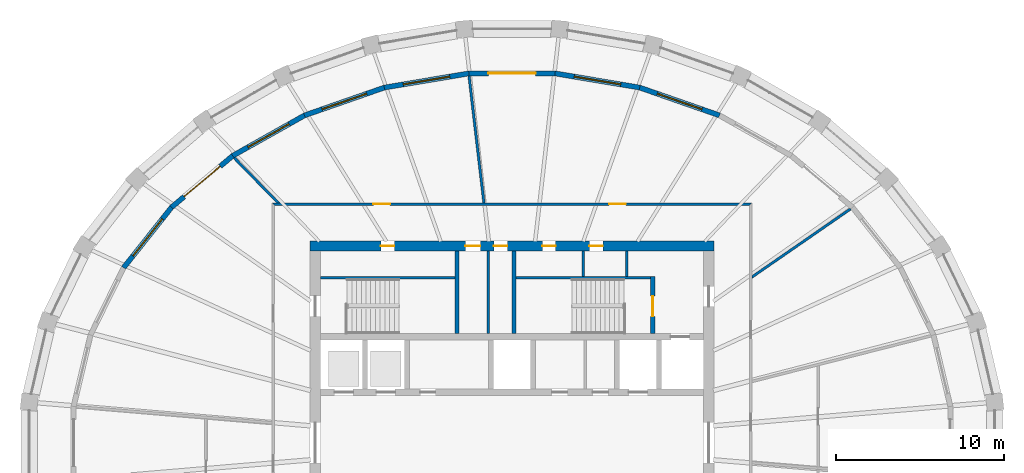
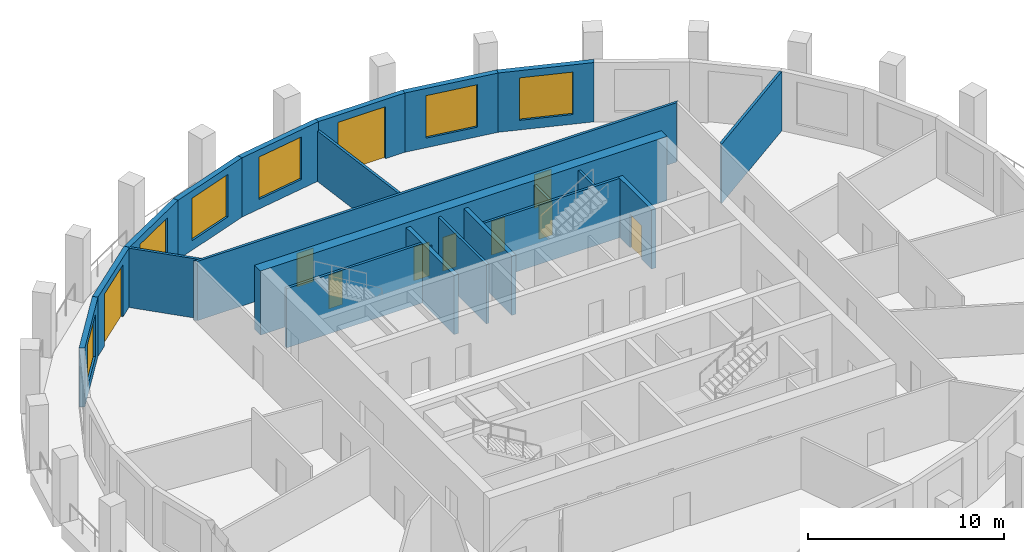
# One storey, part 6 of 10: 21 walls, 10 doors, 6 windows, 16 openings.
"""IFC4 building model written with IfcOpenShell, lengths in metres."""

from ifc_helpers import new_model, si_unit, direction, frame, frame_2d, origin, place, context, subcontext, project, spatial, polyline, rectangle, outline, extrude, material, layer, layer_set, type_object, element, fill, save


model = new_model("IFC4")

# Units and contexts
model_context = context("Model", 3, precision=1e-05, world=origin(), true_north=direction((0.0, 1.0)))
body_context = subcontext(model_context, "Body", "Model", "MODEL_VIEW")
ifc_project = project(units=[si_unit("LENGTHUNIT", "METRE"), si_unit("AREAUNIT", "SQUARE_METRE"), si_unit("VOLUMEUNIT", "CUBIC_METRE"), si_unit("PLANEANGLEUNIT", "RADIAN"), si_unit("MASSUNIT", "GRAM", prefix="KILO")], contexts=[model_context])

# Site, building, storey
site_placement = place(None, origin())
site = spatial("IfcSite", under=ifc_project, at=site_placement, CompositionType="ELEMENT")
building_placement = place(site_placement, origin())
building = spatial("IfcBuilding", under=site, at=building_placement, Name="Halqa Exchange Tower", CompositionType="ELEMENT")
storey_placement = place(building_placement, frame((0.0, 0.0, 308.300048828125)))
storey = spatial("IfcBuildingStorey", under=building, at=storey_placement, Name="L72", CompositionType="ELEMENT", Elevation=308.300048828125)

# Wall
ifc_material_1 = material(Name="Fire-rated gypsum board")
ifc_layer_1 = layer(ifc_material_1, 0.14990234375)
ifc_layer_set_1 = layer_set([ifc_layer_1], Name="Fire-rated gypsum board")
wall_type_1 = type_object("IfcWallType", Name="Fire partition EI 60 150", PredefinedType="PARTITIONING", material=ifc_layer_set_1)
wall_1_placement = place(storey_placement, frame((-16.524658203125, 16.94970703125, 0.0), z_axis=(0.0, 0.0, 1.0), x_axis=(0.698599984797, -0.715512446602, 0.0)))
element("IfcWall", 1, at=wall_1_placement, inside=storey, type_object=wall_type_1, Name="L72-PWL-004", PredefinedType="PARTITIONING", context=body_context, shape_type="SweptSolid", body=[
    extrude(outline(polyline([(0.0, -0.074951171875), (1.83251953125, -0.074951171875), (3.6650390625, -0.074951171875), (3.81103515625, 0.07470703125), (3.81103515625, 0.074951171875), (1.918212890625, 0.074951171875), (0.025390625, 0.074951171875), (0.00537109375, 0.0), (0.0, -0.07373046875), (0.0, -0.074951171875)])), origin(), (0.0, 0.0, 1.0), 3.699951171875),
])

# Wall, openings, doors
wall_2_placement = place(storey_placement, frame((-14.27490234375, 14.199951171875, 0.0), z_axis=(0.0, 0.0, 1.0), x_axis=(1.0, 0.0, 0.0)))
wall_2 = element("IfcWall", 2, at=wall_2_placement, inside=storey, type_object=wall_type_1, Name="L72-PWL-008", PredefinedType="PARTITIONING", context=body_context, shape_type="SweptSolid", body=[
    extrude(outline(polyline([(0.14990234375, -0.074951171875), (2.033203125, -0.074951171875), (3.91650390625, -0.074951171875), (5.7998046875, -0.074951171875), (7.683349609375, -0.074951171875), (9.566650390625, -0.074951171875), (11.449951171875, -0.074951171875), (13.333251953125, -0.074951171875), (15.216552734375, -0.074951171875), (17.099853515625, -0.074951171875), (18.983154296875, -0.074951171875), (20.866455078125, -0.074951171875), (22.75, -0.074951171875), (24.63330078125, -0.074951171875), (26.5166015625, -0.074951171875), (28.39990234375, -0.074951171875), (28.5498046875, 0.074951171875), (28.5498046875, 0.074951171875), (26.646484375, 0.074951171875), (24.7431640625, 0.074951171875), (22.83984375, 0.074951171875), (20.9365234375, 0.074951171875), (19.033203125, 0.074951171875), (17.1298828125, 0.074951171875), (15.2265625, 0.074951171875), (13.3232421875, 0.074951171875), (11.419921875, 0.074951171875), (9.5166015625, 0.074951171875), (7.61328125, 0.074951171875), (5.7099609375, 0.074951171875), (3.806640625, 0.074951171875), (1.9033203125, 0.074951171875), (0.0, 0.074951171875), (0.14990234375, -0.074951171875)])), origin(), (0.0, 0.0, 1.0), 3.699951171875),
])
opening_1_placement = place(wall_2_placement, frame((20.044921875, 0.0, 0.0)))
opening_1 = element("IfcOpeningElement", 3, at=opening_1_placement, cuts=wall_2, Name="Opening 22-11", PredefinedType="OPENING", context=body_context, shape_type="SweptSolid", body=[
    extrude(rectangle(XDim=1.0, YDim=2.10009765625, at=frame_2d((0.5, 1.050048828125))), frame((0.0, 0.0869140625, 0.0), z_axis=(0.0, -1.0, 0.0), x_axis=(1.0, 0.0, 0.0)), (0.0, 0.0, 1.0), 0.173828125),
])
opening_2_placement = place(wall_2_placement, frame((6.02490234375, 0.0, 0.0)))
opening_2 = element("IfcOpeningElement", 4, at=opening_2_placement, cuts=wall_2, Name="Opening 22-12", PredefinedType="OPENING", context=body_context, shape_type="SweptSolid", body=[
    extrude(rectangle(XDim=1.0, YDim=2.10009765625, at=frame_2d((0.5, 1.050048828125))), frame((0.0, 0.0869140625, 0.0), z_axis=(0.0, -1.0, 0.0), x_axis=(1.0, 0.0, 0.0)), (0.0, 0.0, 1.0), 0.173828125),
])
ifc_material_2 = material(Name="Steel fire door leaf", Category="steel")
door_type_1 = type_object("IfcDoorType", Name="Fire door FD30S 1000 x 2100", OperationType="SINGLE_SWING_LEFT", PredefinedType="DOOR", material=ifc_material_2)
door_1_placement = place(opening_1_placement, origin())
door_1 = element("IfcDoor", 5, at=door_1_placement, inside=storey, type_object=door_type_1, Name="L72-IDR-011", OperationType="SINGLE_SWING_RIGHT", OverallHeight=2.10009765625, OverallWidth=1.0, PredefinedType="DOOR", context=body_context, shape_type="SweptSolid", body=[
    extrude(rectangle(XDim=1.0, YDim=2.10009765625, at=frame_2d((0.5, 1.050048828125))), frame((0.0, 0.02490234375, 0.0), z_axis=(0.0, -1.0, 0.0), x_axis=(1.0, 0.0, 0.0)), (0.0, 0.0, 1.0), 0.050048828125),
])
fill(opening_1, door_1)
door_2_placement = place(opening_2_placement, origin())
door_2 = element("IfcDoor", 6, at=door_2_placement, inside=storey, type_object=door_type_1, Name="L72-IDR-012", OperationType="SINGLE_SWING_RIGHT", OverallHeight=2.10009765625, OverallWidth=1.0, PredefinedType="DOOR", context=body_context, shape_type="SweptSolid", body=[
    extrude(rectangle(XDim=1.0, YDim=2.10009765625, at=frame_2d((0.5, 1.050048828125))), frame((0.0, 0.02490234375, 0.0), z_axis=(0.0, -1.0, 0.0), x_axis=(1.0, 0.0, 0.0)), (0.0, 0.0, 1.0), 0.050048828125),
])
fill(opening_2, door_2)

# Walls
wall_3_placement = place(storey_placement, frame((-1.667724609375, 14.2666015625, 0.0), z_axis=(0.0, 0.0, 1.0), x_axis=(-0.116619367809, 0.993176682696, 0.0)))
element("IfcWall", 7, at=wall_3_placement, inside=storey, type_object=wall_type_1, Name="L72-PWL-010", PredefinedType="PARTITIONING", context=body_context, shape_type="SweptSolid", body=[
    extrude(outline(polyline([(0.0, -0.074951171875), (1.898193359375, -0.074951171875), (3.79638671875, -0.074951171875), (5.694580078125, -0.074951171875), (7.5927734375, -0.074951171875), (7.59716796875, -0.03662109375), (7.59716796875, 0.074951171875), (5.7021484375, 0.074951171875), (3.80712890625, 0.074951171875), (1.912353515625, 0.074951171875), (0.017333984375, 0.074951171875), (0.0, -0.072021484375), (0.0, -0.074951171875)])), origin(), (0.0, 0.0, 1.0), 3.14990234375),
])
wall_4_placement = place(storey_placement, frame((14.232421875, 9.83251953125, 0.0), z_axis=(0.0, 0.0, 1.0), x_axis=(0.822725997435, 0.568438152436, 0.0)))
element("IfcWall", 8, at=wall_4_placement, inside=storey, type_object=wall_type_1, Name="L72-PWL-017", PredefinedType="PARTITIONING", context=body_context, shape_type="SweptSolid", body=[
    extrude(outline(polyline([(0.0, -0.074951171875), (1.79345703125, -0.074951171875), (3.5869140625, -0.074951171875), (5.38037109375, -0.074951171875), (7.173828125, -0.074951171875), (7.1689453125, -0.000732421875), (7.148193359375, 0.074951171875), (5.386962890625, 0.074951171875), (3.6259765625, 0.074951171875), (1.86474609375, 0.074951171875), (0.103515625, 0.074951171875), (0.0, -0.074951171875), (0.0, -0.074951171875)])), origin(), (0.0, 0.0, 1.0), 3.699951171875),
])
ifc_material_3 = material(Name="Gypsum board")
ifc_layer_2 = layer(ifc_material_3, 0.14990234375)
ifc_layer_set_2 = layer_set([ifc_layer_2], Name="Gypsum board")
wall_type_2 = type_object("IfcWallType", Name="Penthouse riser wall 150 gypsum", PredefinedType="PARTITIONING", material=ifc_layer_set_2)
wall_5_placement = place(storey_placement, frame((-1.425048828125, 6.5, 0.0), z_axis=(0.0, 0.0, 1.0), x_axis=(0.0, 1.0, 0.0)))
element("IfcWall", 9, at=wall_5_placement, inside=storey, type_object=wall_type_2, Name="Partition W1.425 N", PredefinedType="PARTITIONING", context=body_context, shape_type="SweptSolid", body=[
    extrude(rectangle(XDim=4.89990234375, YDim=0.14990234375, at=frame_2d((2.449951171875, 0.0))), origin(), (0.0, 0.0, 1.0), 3.699951171875),
])
for number, where, z_axis, x_axis, name in (
    (10, (4.22509765625, 9.89990234375, 0.0), (0.0, 0.0, 1.0), (0.0, 1.0, 0.0), "Partition E4.225 N"),
    (11, (6.824951171875, 9.89990234375, 0.0), (0.0, 0.0, 1.0), (0.0, 1.0, 0.0), "Firefighting lobby west wall N"),
):
    element("IfcWall", number, at=place(storey_placement, frame(where, z_axis=z_axis, x_axis=x_axis)), inside=storey, type_object=wall_type_2, Name=name, PredefinedType="PARTITIONING", context=body_context, shape_type="SweptSolid", body=[
        extrude(rectangle(XDim=1.5, YDim=0.14990234375, at=frame_2d((0.75, 0.0))), origin(), (0.0, 0.0, 1.0), 3.699951171875),
    ])

# Wall, openings, doors
ifc_material_4 = material(Name="Concrete C60/75", Category="concrete")
ifc_layer_3 = layer(ifc_material_4, 0.60009765625)
ifc_layer_set_3 = layer_set([ifc_layer_3], Name="Concrete C60/75")
wall_type_3 = type_object("IfcWallType", Name="RC core wall 600 C60/75", PredefinedType="SHEAR", material=ifc_layer_set_3)
wall_6_placement = place(storey_placement, frame((-12.0, 11.699951171875, 0.0), z_axis=(0.0, 0.0, 1.0), x_axis=(1.0, 0.0, 0.0)))
wall_6 = element("IfcWall", 12, at=wall_6_placement, inside=storey, type_object=wall_type_3, Name="Core wall north", PredefinedType="SHEAR", context=body_context, shape_type="SweptSolid", body=[
    extrude(rectangle(XDim=24.0, YDim=0.60009765625, at=frame_2d((12.0, 0.0))), origin(), (0.0, 0.0, 1.0), 4.0),
])
opening_3_placement = place(wall_6_placement, frame((9.22509765625, 0.0, 0.0)))
opening_3 = element("IfcOpeningElement", 13, at=opening_3_placement, cuts=wall_6, Name="Opening T22-C17", PredefinedType="OPENING", context=body_context, shape_type="SweptSolid", body=[
    extrude(rectangle(XDim=0.89990234375, YDim=2.10009765625, at=frame_2d((0.449951171875, 1.050048828125))), frame((0.0, 0.31201171875, 0.0), z_axis=(0.0, -1.0, 0.0), x_axis=(1.0, 0.0, 0.0)), (0.0, 0.0, 1.0), 0.6240234375),
])
opening_4_placement = place(wall_6_placement, frame((10.925048828125, 0.0, 0.0)))
opening_4 = element("IfcOpeningElement", 14, at=opening_4_placement, cuts=wall_6, Name="Opening T22-C18", PredefinedType="OPENING", context=body_context, shape_type="SweptSolid", body=[
    extrude(rectangle(XDim=0.800048828125, YDim=2.10009765625, at=frame_2d((0.39990234375, 1.050048828125))), frame((0.0, 0.31201171875, 0.0), z_axis=(0.0, -1.0, 0.0), x_axis=(1.0, 0.0, 0.0)), (0.0, 0.0, 1.0), 0.6240234375),
])
opening_5_placement = place(wall_6_placement, frame((4.199951171875, 0.0, 0.0)))
opening_5 = element("IfcOpeningElement", 15, at=opening_5_placement, cuts=wall_6, Name="Opening T22-C19", PredefinedType="OPENING", context=body_context, shape_type="SweptSolid", body=[
    extrude(rectangle(XDim=0.800048828125, YDim=2.10009765625, at=frame_2d((0.39990234375, 1.050048828125))), frame((0.0, 0.31201171875, 0.0), z_axis=(0.0, -1.0, 0.0), x_axis=(1.0, 0.0, 0.0)), (0.0, 0.0, 1.0), 0.6240234375),
])
opening_6_placement = place(wall_6_placement, frame((13.800048828125, 0.0, 0.0)))
opening_6 = element("IfcOpeningElement", 16, at=opening_6_placement, cuts=wall_6, Name="Opening T22-C20", PredefinedType="OPENING", context=body_context, shape_type="SweptSolid", body=[
    extrude(rectangle(XDim=0.800048828125, YDim=2.10009765625, at=frame_2d((0.39990234375, 1.050048828125))), frame((0.0, 0.31201171875, 0.0), z_axis=(0.0, -1.0, 0.0), x_axis=(1.0, 0.0, 0.0)), (0.0, 0.0, 1.0), 0.6240234375),
])
opening_7_placement = place(wall_6_placement, frame((16.60009765625, 0.0, 0.0)))
opening_7 = element("IfcOpeningElement", 17, at=opening_7_placement, cuts=wall_6, Name="Opening T22-C21", PredefinedType="OPENING", context=body_context, shape_type="SweptSolid", body=[
    extrude(rectangle(XDim=0.800048828125, YDim=2.10009765625, at=frame_2d((0.39990234375, 1.050048828125))), frame((0.0, 0.31201171875, 0.0), z_axis=(0.0, -1.0, 0.0), x_axis=(1.0, 0.0, 0.0)), (0.0, 0.0, 1.0), 0.6240234375),
])
ifc_material_5 = material(Name="Timber fire door leaf", Category="wood")
door_type_2 = type_object("IfcDoorType", Name="Core room door FD30 900 x 2100", OperationType="SINGLE_SWING_LEFT", PredefinedType="DOOR", material=ifc_material_5)
door_3_placement = place(opening_3_placement, frame((0.89990234375, 0.0, 0.0), z_axis=(0.0, 0.0, 1.0), x_axis=(-1.0, 0.0, 0.0)))
door_3 = element("IfcDoor", 18, at=door_3_placement, inside=storey, type_object=door_type_2, Name="Core room door", OperationType="SINGLE_SWING_RIGHT", OverallHeight=2.10009765625, OverallWidth=0.89990234375, PredefinedType="DOOR", context=body_context, shape_type="SweptSolid", body=[
    extrude(rectangle(XDim=0.89990234375, YDim=2.10009765625, at=frame_2d((0.449951171875, 1.050048828125))), frame((0.0, 0.02490234375, 0.0), z_axis=(0.0, -1.0, 0.0), x_axis=(1.0, 0.0, 0.0)), (0.0, 0.0, 1.0), 0.050048828125),
])
fill(opening_3, door_3)
door_type_3 = type_object("IfcDoorType", Name="Riser door FD60 800 x 2100", OperationType="SINGLE_SWING_LEFT", PredefinedType="DOOR", material=ifc_material_2)
door_4_placement = place(opening_4_placement, frame((0.800048828125, 0.0, 0.0), z_axis=(0.0, 0.0, 1.0), x_axis=(-1.0, 0.0, 0.0)))
door_4 = element("IfcDoor", 19, at=door_4_placement, inside=storey, type_object=door_type_3, Name="Core room door", OperationType="SINGLE_SWING_LEFT", OverallHeight=2.10009765625, OverallWidth=0.800048828125, PredefinedType="DOOR", context=body_context, shape_type="SweptSolid", body=[
    extrude(rectangle(XDim=0.800048828125, YDim=2.10009765625, at=frame_2d((0.39990234375, 1.050048828125))), frame((0.0, 0.02490234375, 0.0), z_axis=(0.0, -1.0, 0.0), x_axis=(1.0, 0.0, 0.0)), (0.0, 0.0, 1.0), 0.050048828125),
])
fill(opening_4, door_4)
door_5_placement = place(opening_5_placement, frame((0.800048828125, 0.0, 0.0), z_axis=(0.0, 0.0, 1.0), x_axis=(-1.0, 0.0, 0.0)))
door_5 = element("IfcDoor", 20, at=door_5_placement, inside=storey, type_object=door_type_3, Name="Core room door", OperationType="SINGLE_SWING_LEFT", OverallHeight=2.10009765625, OverallWidth=0.800048828125, PredefinedType="DOOR", context=body_context, shape_type="SweptSolid", body=[
    extrude(rectangle(XDim=0.800048828125, YDim=2.10009765625, at=frame_2d((0.39990234375, 1.050048828125))), frame((0.0, 0.02490234375, 0.0), z_axis=(0.0, -1.0, 0.0), x_axis=(1.0, 0.0, 0.0)), (0.0, 0.0, 1.0), 0.050048828125),
])
fill(opening_5, door_5)
door_6_placement = place(opening_6_placement, frame((0.800048828125, 0.0, 0.0), z_axis=(0.0, 0.0, 1.0), x_axis=(-1.0, 0.0, 0.0)))
door_6 = element("IfcDoor", 21, at=door_6_placement, inside=storey, type_object=door_type_3, Name="Core room door", OperationType="SINGLE_SWING_RIGHT", OverallHeight=2.10009765625, OverallWidth=0.800048828125, PredefinedType="DOOR", context=body_context, shape_type="SweptSolid", body=[
    extrude(rectangle(XDim=0.800048828125, YDim=2.10009765625, at=frame_2d((0.39990234375, 1.050048828125))), frame((0.0, 0.02490234375, 0.0), z_axis=(0.0, -1.0, 0.0), x_axis=(1.0, 0.0, 0.0)), (0.0, 0.0, 1.0), 0.050048828125),
])
fill(opening_6, door_6)
door_7_placement = place(opening_7_placement, frame((0.800048828125, 0.0, 0.0), z_axis=(0.0, 0.0, 1.0), x_axis=(-1.0, 0.0, 0.0)))
door_7 = element("IfcDoor", 22, at=door_7_placement, inside=storey, type_object=door_type_3, Name="Core room door", OperationType="SINGLE_SWING_LEFT", OverallHeight=2.10009765625, OverallWidth=0.800048828125, PredefinedType="DOOR", context=body_context, shape_type="SweptSolid", body=[
    extrude(rectangle(XDim=0.800048828125, YDim=2.10009765625, at=frame_2d((0.39990234375, 1.050048828125))), frame((0.0, 0.02490234375, 0.0), z_axis=(0.0, -1.0, 0.0), x_axis=(1.0, 0.0, 0.0)), (0.0, 0.0, 1.0), 0.050048828125),
])
fill(opening_7, door_7)

# Walls
ifc_material_6 = material(Name="Concrete C30/37", Category="concrete")
ifc_layer_4 = layer(ifc_material_6, 0.14990234375)
ifc_layer_set_4 = layer_set([ifc_layer_4], Name="Concrete C30/37")
wall_type_4 = type_object("IfcWallType", Name="RC stair wall 150 C30/37", PredefinedType="SHEAR", material=ifc_layer_set_4)
for number, where, z_axis, x_axis, name in (
    (23, (-11.39990234375, 9.824951171875, 0.0), (0.0, 0.0, 1.0), (1.0, 0.0, 0.0), "Stair ST1 north wall N"),
    (24, (0.25, 9.824951171875, 0.0), (0.0, 0.0, 1.0), (1.0, 0.0, 0.0), "Stair ST2 north wall N"),
):
    element("IfcWall", number, at=place(storey_placement, frame(where, z_axis=z_axis, x_axis=x_axis)), inside=storey, type_object=wall_type_4, Name=name, PredefinedType="SHEAR", context=body_context, shape_type="SweptSolid", body=[
        extrude(rectangle(XDim=8.0, YDim=0.14990234375, at=frame_2d((4.0, 0.0))), origin(), (0.0, 0.0, 1.0), 3.699951171875),
    ])
ifc_layer_5 = layer(ifc_material_6, 0.25)
ifc_layer_set_5 = layer_set([ifc_layer_5], Name="Concrete C30/37")
wall_type_5 = type_object("IfcWallType", Name="RC stair wall 250 C30/37", PredefinedType="SHEAR", material=ifc_layer_set_5)
for number, where, z_axis, x_axis, name in (
    (25, (-3.27490234375, 6.5, 0.0), (0.0, 0.0, 1.0), (0.0, 1.0, 0.0), "Stair ST1 east wall N"),
    (26, (0.125, 6.5, 0.0), (0.0, 0.0, 1.0), (0.0, 1.0, 0.0), "Stair ST2 west wall N"),
):
    element("IfcWall", number, at=place(storey_placement, frame(where, z_axis=z_axis, x_axis=x_axis)), inside=storey, type_object=wall_type_5, Name=name, PredefinedType="SHEAR", context=body_context, shape_type="SweptSolid", body=[
        extrude(rectangle(XDim=4.89990234375, YDim=0.25, at=frame_2d((2.449951171875, 0.0))), origin(), (0.0, 0.0, 1.0), 3.699951171875),
    ])

# Wall, opening, door
wall_7_placement = place(storey_placement, frame((8.375, 6.5, 0.0), z_axis=(0.0, 0.0, 1.0), x_axis=(0.0, 1.0, 0.0)))
wall_7 = element("IfcWall", 27, at=wall_7_placement, inside=storey, type_object=wall_type_5, Name="Stair ST2 east wall N", PredefinedType="SHEAR", context=body_context, shape_type="SweptSolid", body=[
    extrude(rectangle(XDim=3.39990234375, YDim=0.25, at=frame_2d((1.699951171875, 0.0))), origin(), (0.0, 0.0, 1.0), 3.699951171875),
])
opening_8_placement = place(wall_7_placement, frame((1.02490234375, 0.0, 0.0)))
opening_8 = element("IfcOpeningElement", 28, at=opening_8_placement, cuts=wall_7, Name="Opening T22-C12", PredefinedType="OPENING", context=body_context, shape_type="SweptSolid", body=[
    extrude(rectangle(XDim=1.199951171875, YDim=2.10009765625, at=frame_2d((0.60009765625, 1.050048828125))), frame((0.0, 0.136962890625, 0.0), z_axis=(0.0, -1.0, 0.0), x_axis=(1.0, 0.0, 0.0)), (0.0, 0.0, 1.0), 0.27392578125),
])
door_type_4 = type_object("IfcDoorType", Name="Stair door FD90 1200 x 2100", OperationType="SINGLE_SWING_LEFT", PredefinedType="DOOR", material=ifc_material_2)
door_8_placement = place(opening_8_placement, origin())
door_8 = element("IfcDoor", 29, at=door_8_placement, inside=storey, type_object=door_type_4, Name="Stair door ST2", OperationType="SINGLE_SWING_RIGHT", OverallHeight=2.10009765625, OverallWidth=1.199951171875, PredefinedType="DOOR", context=body_context, shape_type="SweptSolid", body=[
    extrude(rectangle(XDim=1.199951171875, YDim=2.10009765625, at=frame_2d((0.60009765625, 1.050048828125))), frame((0.0, 0.02490234375, 0.0), z_axis=(0.0, -1.0, 0.0), x_axis=(1.0, 0.0, 0.0)), (0.0, 0.0, 1.0), 0.050048828125),
])
fill(opening_8, door_8)

# Wall, opening, window
ifc_material_7 = material(Name="Limestone cladding", Category="masonry")
ifc_layer_6 = layer(ifc_material_7, 0.0400390625)
ifc_material_8 = material(Name="Ventilated cavity")
ifc_layer_7 = layer(ifc_material_8, 0.030029296875, ventilated=True)
ifc_material_9 = material(Name="Mineral wool insulation")
ifc_layer_8 = layer(ifc_material_9, 0.10009765625)
ifc_layer_9 = layer(ifc_material_6, 0.10009765625)
ifc_material_10 = material(Name="Internal plaster")
ifc_layer_10 = layer(ifc_material_10, 0.030029296875)
ifc_layer_set_6 = layer_set([ifc_layer_6, ifc_layer_7, ifc_layer_8, ifc_layer_9, ifc_layer_10], Name="Stone-faced insulated wall 300")
wall_type_6 = type_object("IfcWallType", Name="Stone-faced insulated wall 300", PredefinedType="STANDARD", material=ifc_layer_set_6)
wall_8_placement = place(storey_placement, frame((12.338134765625, 19.470703125, 0.0), z_axis=(0.0, 0.0, 1.0), x_axis=(-0.944251863618, 0.329223963365, 0.0)))
wall_8 = element("IfcWall", 30, at=wall_8_placement, inside=storey, type_object=wall_type_6, Name="Glass-line wall 6", PredefinedType="STANDARD", context=body_context, shape_type="SweptSolid", body=[
    extrude(outline(polyline([(-0.01318359375, -0.14990234375), (5.033935546875, -0.14990234375), (5.008544921875, 0.14990234375), (0.01318359375, 0.14990234375), (-0.01318359375, -0.14990234375)])), origin(), (0.0, 0.0, 1.0), 3.699951171875),
])
opening_9_placement = place(wall_8_placement, frame((1.110595703125, 0.0, 0.60009765625)))
opening_9 = element("IfcOpeningElement", 31, at=opening_9_placement, cuts=wall_8, Name="Opening W-F4-06", PredefinedType="OPENING", context=body_context, shape_type="SweptSolid", body=[
    extrude(rectangle(XDim=2.800048828125, YDim=2.64990234375, at=frame_2d((1.39990234375, 1.324951171875))), frame((0.0, 0.162109375, 0.0), z_axis=(0.0, -1.0, 0.0), x_axis=(1.0, 0.0, 0.0)), (0.0, 0.0, 1.0), 0.323974609375),
])
ifc_material_11 = material(Name="Clear low-emissivity glass in aluminium frame", Category="aluminium")
window_type = type_object("IfcWindowType", Name="Fixed clear glazed window 2800 x 2650", PartitioningType="DOUBLE_PANEL_VERTICAL", PredefinedType="WINDOW", material=ifc_material_11)
window_1_placement = place(opening_9_placement, origin())
window_1 = element("IfcWindow", 32, at=window_1_placement, inside=storey, type_object=window_type, Name="Window 4", OverallHeight=2.64990234375, OverallWidth=2.800048828125, PartitioningType="DOUBLE_PANEL_VERTICAL", PredefinedType="WINDOW", context=body_context, shape_type="SweptSolid", body=[
    extrude(rectangle(XDim=2.800048828125, YDim=2.64990234375, at=frame_2d((1.39990234375, 1.324951171875))), frame((0.0, 0.030029296875, 0.0), z_axis=(0.0, -1.0, 0.0), x_axis=(1.0, 0.0, 0.0)), (0.0, 0.0, 1.0), 0.06005859375),
])
fill(opening_9, window_1)

wall_9_placement = place(storey_placement, frame((7.596923828125, 21.123779296875, 0.0), z_axis=(0.0, 0.0, 1.0), x_axis=(-0.986269480969, 0.165143909695, 0.0)))
wall_9 = element("IfcWall", 33, at=wall_9_placement, inside=storey, type_object=wall_type_6, Name="Glass-line wall 7", PredefinedType="STANDARD", context=body_context, shape_type="SweptSolid", body=[
    extrude(outline(polyline([(-0.0126953125, -0.14990234375), (5.1142578125, -0.14990234375), (5.08935546875, 0.14990234375), (0.0126953125, 0.14990234375), (-0.0126953125, -0.14990234375)])), origin(), (0.0, 0.0, 1.0), 3.699951171875),
])
opening_10_placement = place(wall_9_placement, frame((1.15087890625, 0.0, 0.60009765625)))
opening_10 = element("IfcOpeningElement", 34, at=opening_10_placement, cuts=wall_9, Name="Opening W-F4-07", PredefinedType="OPENING", context=body_context, shape_type="SweptSolid", body=[
    extrude(rectangle(XDim=2.800048828125, YDim=2.64990234375, at=frame_2d((1.39990234375, 1.324951171875))), frame((0.0, 0.162109375, 0.0), z_axis=(0.0, -1.0, 0.0), x_axis=(1.0, 0.0, 0.0)), (0.0, 0.0, 1.0), 0.323974609375),
])
window_2_placement = place(opening_10_placement, origin())
window_2 = element("IfcWindow", 35, at=window_2_placement, inside=storey, type_object=window_type, Name="Window 4", OverallHeight=2.64990234375, OverallWidth=2.800048828125, PartitioningType="DOUBLE_PANEL_VERTICAL", PredefinedType="WINDOW", context=body_context, shape_type="SweptSolid", body=[
    extrude(rectangle(XDim=2.800048828125, YDim=2.64990234375, at=frame_2d((1.39990234375, 1.324951171875))), frame((0.0, 0.030029296875, 0.0), z_axis=(0.0, -1.0, 0.0), x_axis=(1.0, 0.0, 0.0)), (0.0, 0.0, 1.0), 0.06005859375),
])
fill(opening_10, window_2)

# Wall, opening, door
wall_10_placement = place(storey_placement, frame((2.565185546875, 21.96630859375, 0.0), z_axis=(0.0, 0.0, 1.0), x_axis=(-1.0, 0.0, 0.0)))
wall_10 = element("IfcWall", 36, at=wall_10_placement, inside=storey, type_object=wall_type_6, Name="Glass-line wall 8", PredefinedType="STANDARD", context=body_context, shape_type="SweptSolid", body=[
    extrude(outline(polyline([(-0.012451171875, -0.14990234375), (5.142822265625, -0.14990234375), (5.117919921875, 0.14990234375), (0.012451171875, 0.14990234375), (-0.012451171875, -0.14990234375)])), origin(), (0.0, 0.0, 1.0), 3.699951171875),
])
opening_11_placement = place(wall_10_placement, frame((1.1650390625, 0.0, 0.0)))
opening_11 = element("IfcOpeningElement", 37, at=opening_11_placement, cuts=wall_10, Name="Opening LG-F4-02", PredefinedType="OPENING", context=body_context, shape_type="SweptSolid", body=[
    extrude(rectangle(XDim=2.800048828125, YDim=3.25, at=frame_2d((1.39990234375, 1.625))), frame((0.0, 0.162109375, 0.0), z_axis=(0.0, -1.0, 0.0), x_axis=(1.0, 0.0, 0.0)), (0.0, 0.0, 1.0), 0.323974609375),
])
door_type_5 = type_object("IfcDoorType", Name="Glazed sliding loggia door 2800 x 3250", OperationType="DOUBLE_DOOR_SLIDING", PredefinedType="DOOR", material=ifc_material_11)
door_9_placement = place(opening_11_placement, origin())
door_9 = element("IfcDoor", 38, at=door_9_placement, inside=storey, type_object=door_type_5, Name="Loggia door 2", OperationType="DOUBLE_DOOR_SLIDING", OverallHeight=3.25, OverallWidth=2.800048828125, PredefinedType="DOOR", context=body_context, shape_type="SweptSolid", body=[
    extrude(rectangle(XDim=2.800048828125, YDim=3.25, at=frame_2d((1.39990234375, 1.625))), frame((0.0, 0.02490234375, 0.0), z_axis=(0.0, -1.0, 0.0), x_axis=(1.0, 0.0, 0.0)), (0.0, 0.0, 1.0), 0.050048828125),
])
fill(opening_11, door_9)

# Wall, opening, window
wall_11_placement = place(storey_placement, frame((-2.565185546875, 21.96630859375, 0.0), z_axis=(0.0, 0.0, 1.0), x_axis=(-0.986269480969, -0.165143909695, 0.0)))
wall_11 = element("IfcWall", 39, at=wall_11_placement, inside=storey, type_object=wall_type_6, Name="Glass-line wall 9", PredefinedType="STANDARD", context=body_context, shape_type="SweptSolid", body=[
    extrude(outline(polyline([(-0.012451171875, -0.14990234375), (5.114501953125, -0.14990234375), (5.089111328125, 0.14990234375), (0.012451171875, 0.14990234375), (-0.012451171875, -0.14990234375)])), origin(), (0.0, 0.0, 1.0), 3.699951171875),
])
opening_12_placement = place(wall_11_placement, frame((1.15087890625, 0.0, 0.60009765625)))
opening_12 = element("IfcOpeningElement", 40, at=opening_12_placement, cuts=wall_11, Name="Opening W-F4-09", PredefinedType="OPENING", context=body_context, shape_type="SweptSolid", body=[
    extrude(rectangle(XDim=2.800048828125, YDim=2.64990234375, at=frame_2d((1.39990234375, 1.324951171875))), frame((0.0, 0.162109375, 0.0), z_axis=(0.0, -1.0, 0.0), x_axis=(1.0, 0.0, 0.0)), (0.0, 0.0, 1.0), 0.323974609375),
])
window_3_placement = place(opening_12_placement, origin())
window_3 = element("IfcWindow", 41, at=window_3_placement, inside=storey, type_object=window_type, Name="Window 4", OverallHeight=2.64990234375, OverallWidth=2.800048828125, PartitioningType="DOUBLE_PANEL_VERTICAL", PredefinedType="WINDOW", context=body_context, shape_type="SweptSolid", body=[
    extrude(rectangle(XDim=2.800048828125, YDim=2.64990234375, at=frame_2d((1.39990234375, 1.324951171875))), frame((0.0, 0.030029296875, 0.0), z_axis=(0.0, -1.0, 0.0), x_axis=(1.0, 0.0, 0.0)), (0.0, 0.0, 1.0), 0.06005859375),
])
fill(opening_12, window_3)

wall_12_placement = place(storey_placement, frame((-7.596923828125, 21.123779296875, 0.0), z_axis=(0.0, 0.0, 1.0), x_axis=(-0.944251863618, -0.329223963365, 0.0)))
wall_12 = element("IfcWall", 42, at=wall_12_placement, inside=storey, type_object=wall_type_6, Name="Glass-line wall 10", PredefinedType="STANDARD", context=body_context, shape_type="SweptSolid", body=[
    extrude(outline(polyline([(-0.0126953125, -0.14990234375), (5.034423828125, -0.14990234375), (5.008056640625, 0.14990234375), (0.0126953125, 0.14990234375), (-0.0126953125, -0.14990234375)])), origin(), (0.0, 0.0, 1.0), 3.699951171875),
])
opening_13_placement = place(wall_12_placement, frame((1.110595703125, 0.0, 0.60009765625)))
opening_13 = element("IfcOpeningElement", 43, at=opening_13_placement, cuts=wall_12, Name="Opening W-F4-10", PredefinedType="OPENING", context=body_context, shape_type="SweptSolid", body=[
    extrude(rectangle(XDim=2.800048828125, YDim=2.64990234375, at=frame_2d((1.39990234375, 1.324951171875))), frame((0.0, 0.162109375, 0.0), z_axis=(0.0, -1.0, 0.0), x_axis=(1.0, 0.0, 0.0)), (0.0, 0.0, 1.0), 0.323974609375),
])
window_4_placement = place(opening_13_placement, origin())
window_4 = element("IfcWindow", 44, at=window_4_placement, inside=storey, type_object=window_type, Name="Window 4", OverallHeight=2.64990234375, OverallWidth=2.800048828125, PartitioningType="DOUBLE_PANEL_VERTICAL", PredefinedType="WINDOW", context=body_context, shape_type="SweptSolid", body=[
    extrude(rectangle(XDim=2.800048828125, YDim=2.64990234375, at=frame_2d((1.39990234375, 1.324951171875))), frame((0.0, 0.030029296875, 0.0), z_axis=(0.0, -1.0, 0.0), x_axis=(1.0, 0.0, 0.0)), (0.0, 0.0, 1.0), 0.06005859375),
])
fill(opening_13, window_4)

wall_13_placement = place(storey_placement, frame((-12.338134765625, 19.470703125, 0.0), z_axis=(0.0, 0.0, 1.0), x_axis=(-0.871570211895, -0.490270706588, 0.0)))
wall_13 = element("IfcWall", 45, at=wall_13_placement, inside=storey, type_object=wall_type_6, Name="Glass-line wall 11", PredefinedType="STANDARD", context=body_context, shape_type="SweptSolid", body=[
    extrude(outline(polyline([(-0.01318359375, -0.14990234375), (4.91162109375, -0.14990234375), (4.88330078125, 0.14990234375), (0.01318359375, 0.14990234375), (-0.01318359375, -0.14990234375)])), origin(), (0.0, 0.0, 1.0), 3.699951171875),
])
opening_14_placement = place(wall_13_placement, frame((1.048828125, 0.0, 0.60009765625)))
opening_14 = element("IfcOpeningElement", 46, at=opening_14_placement, cuts=wall_13, Name="Opening W-F4-11", PredefinedType="OPENING", context=body_context, shape_type="SweptSolid", body=[
    extrude(rectangle(XDim=2.800048828125, YDim=2.64990234375, at=frame_2d((1.39990234375, 1.324951171875))), frame((0.0, 0.162109375, 0.0), z_axis=(0.0, -1.0, 0.0), x_axis=(1.0, 0.0, 0.0)), (0.0, 0.0, 1.0), 0.323974609375),
])
window_5_placement = place(opening_14_placement, origin())
window_5 = element("IfcWindow", 47, at=window_5_placement, inside=storey, type_object=window_type, Name="Window 4", OverallHeight=2.64990234375, OverallWidth=2.800048828125, PartitioningType="DOUBLE_PANEL_VERTICAL", PredefinedType="WINDOW", context=body_context, shape_type="SweptSolid", body=[
    extrude(rectangle(XDim=2.800048828125, YDim=2.64990234375, at=frame_2d((1.39990234375, 1.324951171875))), frame((0.0, 0.030029296875, 0.0), z_axis=(0.0, -1.0, 0.0), x_axis=(1.0, 0.0, 0.0)), (0.0, 0.0, 1.0), 0.06005859375),
])
fill(opening_14, window_5)

# Wall, opening, door
wall_14_placement = place(storey_placement, frame((-16.606689453125, 17.069580078125, 0.0), z_axis=(0.0, 0.0, 1.0), x_axis=(-0.765059193792, -0.643959959931, 0.0)))
wall_14 = element("IfcWall", 48, at=wall_14_placement, inside=storey, type_object=wall_type_6, Name="Glass-line wall 12", PredefinedType="STANDARD", context=body_context, shape_type="SweptSolid", body=[
    extrude(outline(polyline([(-0.01416015625, -0.14990234375), (4.762939453125, -0.14990234375), (4.732666015625, 0.14990234375), (0.01416015625, 0.14990234375), (-0.01416015625, -0.14990234375)])), origin(), (0.0, 0.0, 1.0), 3.699951171875),
])
opening_15_placement = place(wall_14_placement, frame((0.973876953125, 0.0, 0.0)))
opening_15 = element("IfcOpeningElement", 49, at=opening_15_placement, cuts=wall_14, Name="Opening LG-F4-03", PredefinedType="OPENING", context=body_context, shape_type="SweptSolid", body=[
    extrude(rectangle(XDim=2.800048828125, YDim=3.25, at=frame_2d((1.39990234375, 1.625))), frame((0.0, 0.162109375, 0.0), z_axis=(0.0, -1.0, 0.0), x_axis=(1.0, 0.0, 0.0)), (0.0, 0.0, 1.0), 0.323974609375),
])
door_10_placement = place(opening_15_placement, origin())
door_10 = element("IfcDoor", 50, at=door_10_placement, inside=storey, type_object=door_type_5, Name="Loggia door 3", OperationType="DOUBLE_DOOR_SLIDING", OverallHeight=3.25, OverallWidth=2.800048828125, PredefinedType="DOOR", context=body_context, shape_type="SweptSolid", body=[
    extrude(rectangle(XDim=2.800048828125, YDim=3.25, at=frame_2d((1.39990234375, 1.625))), frame((0.0, 0.02490234375, 0.0), z_axis=(0.0, -1.0, 0.0), x_axis=(1.0, 0.0, 0.0)), (0.0, 0.0, 1.0), 0.050048828125),
])
fill(opening_15, door_10)

# Wall, opening, window
wall_15_placement = place(storey_placement, frame((-20.239013671875, 14.01220703125, 0.0), z_axis=(0.0, 0.0, 1.0), x_axis=(-0.621682706372, -0.78326918272, 0.0)))
wall_15 = element("IfcWall", 51, at=wall_15_placement, inside=storey, type_object=wall_type_6, Name="Glass-line wall 13", PredefinedType="STANDARD", context=body_context, shape_type="SweptSolid", body=[
    extrude(outline(polyline([(-0.01513671875, -0.14990234375), (4.609130859375, -0.14990234375), (4.576904296875, 0.14990234375), (0.01513671875, 0.14990234375), (-0.01513671875, -0.14990234375)])), origin(), (0.0, 0.0, 1.0), 3.699951171875),
])
opening_16_placement = place(wall_15_placement, frame((0.896484375, 0.0, 0.60009765625)))
opening_16 = element("IfcOpeningElement", 52, at=opening_16_placement, cuts=wall_15, Name="Opening W-F4-13", PredefinedType="OPENING", context=body_context, shape_type="SweptSolid", body=[
    extrude(rectangle(XDim=2.800048828125, YDim=2.64990234375, at=frame_2d((1.39990234375, 1.324951171875))), frame((0.0, 0.162109375, 0.0), z_axis=(0.0, -1.0, 0.0), x_axis=(1.0, 0.0, 0.0)), (0.0, 0.0, 1.0), 0.323974609375),
])
window_6_placement = place(opening_16_placement, origin())
window_6 = element("IfcWindow", 53, at=window_6_placement, inside=storey, type_object=window_type, Name="Window 4", OverallHeight=2.64990234375, OverallWidth=2.800048828125, PartitioningType="DOUBLE_PANEL_VERTICAL", PredefinedType="WINDOW", context=body_context, shape_type="SweptSolid", body=[
    extrude(rectangle(XDim=2.800048828125, YDim=2.64990234375, at=frame_2d((1.39990234375, 1.324951171875))), frame((0.0, 0.030029296875, 0.0), z_axis=(0.0, -1.0, 0.0), x_axis=(1.0, 0.0, 0.0)), (0.0, 0.0, 1.0), 0.06005859375),
])
fill(opening_16, window_6)

save(model, "model.ifc")
